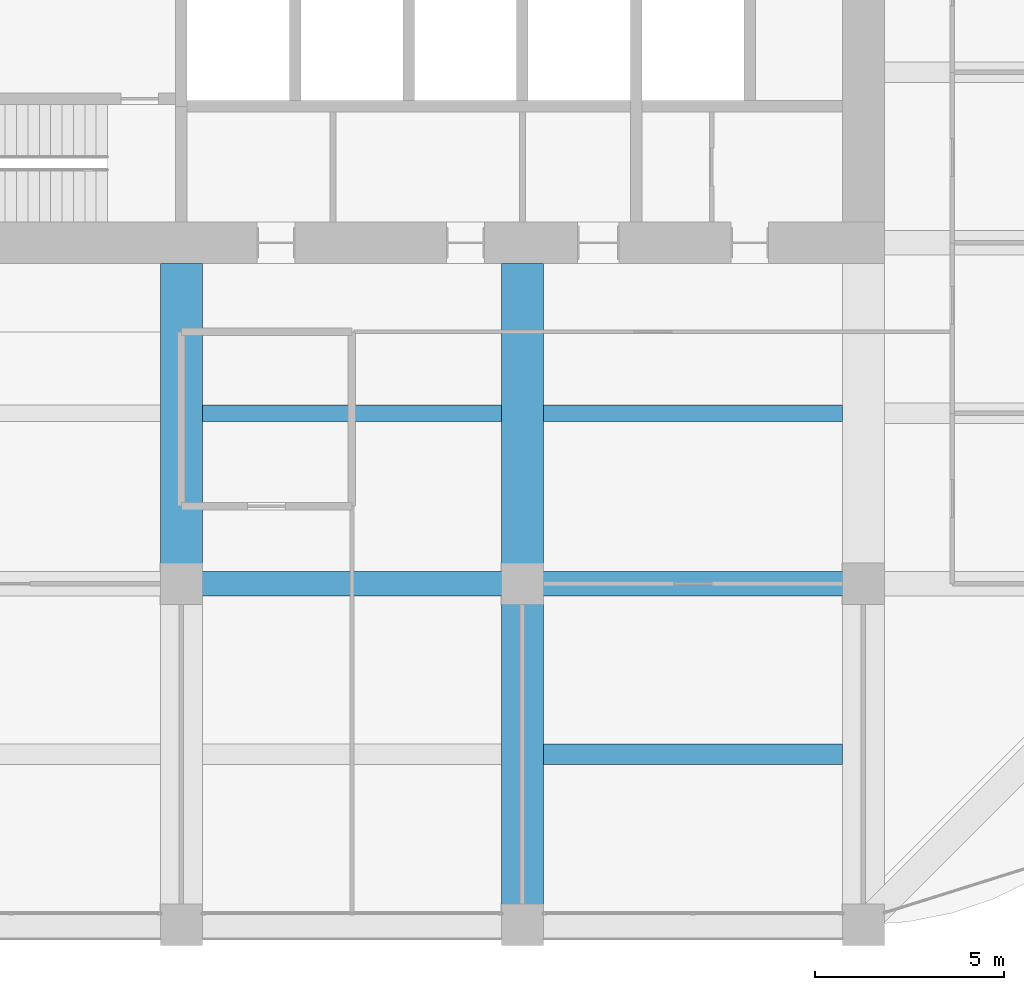
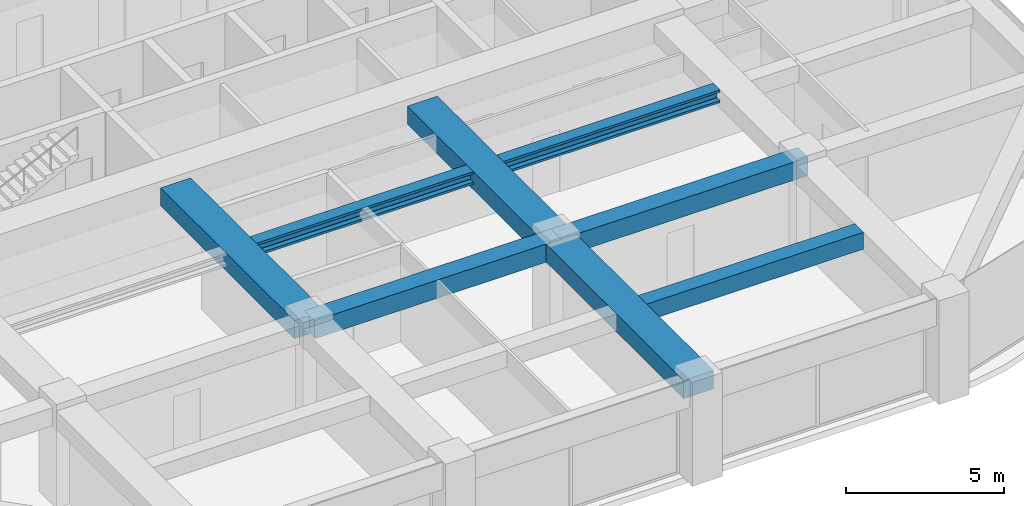
# One storey, part 12 of 44: 8 beams.
"""IFC4 building model written with IfcOpenShell, lengths in metres."""

from ifc_helpers import new_model, si_unit, direction, frame, origin, origin_2d, place, context, subcontext, project, spatial, rectangle, i_section, extrude, material, material_profile, profile_set, type_object, element, save


model = new_model("IFC4")

# Units and contexts
model_context = context("Model", 3, precision=1e-05, world=origin(), true_north=direction((0.0, 1.0)))
body_context = subcontext(model_context, "Body", "Model", "MODEL_VIEW")
ifc_project = project(units=[si_unit("LENGTHUNIT", "METRE"), si_unit("AREAUNIT", "SQUARE_METRE"), si_unit("VOLUMEUNIT", "CUBIC_METRE"), si_unit("PLANEANGLEUNIT", "RADIAN"), si_unit("MASSUNIT", "GRAM", prefix="KILO")], contexts=[model_context])

# Site, building, storey
site_placement = place(None, origin())
site = spatial("IfcSite", under=ifc_project, at=site_placement, CompositionType="ELEMENT")
building_placement = place(site_placement, origin())
building = spatial("IfcBuilding", under=site, at=building_placement, Name="Zorevar Civic Tower", CompositionType="ELEMENT")
storey_placement = place(building_placement, frame((0.0, 0.0, 267.39990234375)))
storey = spatial("IfcBuildingStorey", under=building, at=storey_placement, Name="L65", CompositionType="ELEMENT", Elevation=267.39990234375)

# Beams
ifc_material_1 = material(Name="Concrete C50/60", Category="concrete")
ifc_material_profile_1 = material_profile(ifc_material_1, rectangle(XDim=1.10009765625, YDim=0.699951171875, at=origin_2d()), Name="RC 1100x700")
ifc_profile_set_1 = profile_set([ifc_material_profile_1], Name="Concrete C50/60")
beam_type_1 = type_object("IfcBeamType", Name="Beam RC 1100x700", PredefinedType="BEAM", material=ifc_profile_set_1)
beam_1_placement = place(storey_placement, frame((27.0, 9.0, 3.400146484375), z_axis=(0.0, 1.0, 0.0), x_axis=(-1.0, 0.0, 0.0)))
element("IfcBeam", 1, at=beam_1_placement, inside=storey, type_object=beam_type_1, Name="Girder L66", PredefinedType="BEAM", context=body_context, shape_type="SweptSolid", body=[
    extrude(rectangle(XDim=1.10009765625, YDim=0.699951171875, at=origin_2d()), origin(), (0.0, 0.0, 1.0), 8.449951171875),
])
beam_2_placement = place(storey_placement, frame((36.0, 0.0, 3.400146484375), z_axis=(0.0, 1.0, 0.0), x_axis=(-1.0, 0.0, 0.0)))
element("IfcBeam", 2, at=beam_2_placement, inside=storey, type_object=beam_type_1, Name="Girder L66", PredefinedType="BEAM", context=body_context, shape_type="SweptSolid", body=[
    extrude(rectangle(XDim=1.10009765625, YDim=0.699951171875, at=origin_2d()), origin(), (0.0, 0.0, 1.0), 9.0),
])
beam_3_placement = place(storey_placement, frame((36.0, 9.0, 3.400146484375), z_axis=(0.0, 1.0, 0.0), x_axis=(-1.0, 0.0, 0.0)))
element("IfcBeam", 3, at=beam_3_placement, inside=storey, type_object=beam_type_1, Name="Girder L66", PredefinedType="BEAM", context=body_context, shape_type="SweptSolid", body=[
    extrude(rectangle(XDim=1.10009765625, YDim=0.699951171875, at=origin_2d()), origin(), (0.0, 0.0, 1.0), 8.449951171875),
])
ifc_material_2 = material(Name="Concrete C50/60", Category="concrete")
ifc_material_profile_2 = material_profile(ifc_material_2, rectangle(XDim=0.550048828125, YDim=0.64990234375, at=origin_2d()), Name="RC 550x650")
ifc_profile_set_2 = profile_set([ifc_material_profile_2], Name="Concrete C50/60")
beam_type_2 = type_object("IfcBeamType", Name="Beam RC 550x650", PredefinedType="BEAM", material=ifc_profile_set_2)
beam_4_placement = place(storey_placement, frame((36.550048828125, 4.5, 3.425048828125), z_axis=(1.0, 0.0, 0.0), x_axis=(0.0, 1.0, 0.0)))
element("IfcBeam", 4, at=beam_4_placement, inside=storey, type_object=beam_type_2, Name="Secondary beam L66", PredefinedType="BEAM", context=body_context, shape_type="SweptSolid", body=[
    extrude(rectangle(XDim=0.550048828125, YDim=0.64990234375, at=origin_2d()), origin(), (0.0, 0.0, 1.0), 7.89990234375),
])
ifc_material_3 = material(Name="Concrete C50/60", Category="concrete")
ifc_material_profile_3 = material_profile(ifc_material_3, rectangle(XDim=0.64990234375, YDim=0.699951171875, at=origin_2d()), Name="RC 650x700")
ifc_profile_set_3 = profile_set([ifc_material_profile_3], Name="Concrete C50/60")
beam_type_3 = type_object("IfcBeamType", Name="Beam RC 650x700", PredefinedType="BEAM", material=ifc_profile_set_3)
for number, where, z_axis, x_axis, name in (
    (5, (27.0, 9.0, 3.400146484375), (1.0, 0.0, 0.0), (0.0, 1.0, 0.0), "Girder L66"),
    (6, (36.0, 9.0, 3.400146484375), (1.0, 0.0, 0.0), (0.0, 1.0, 0.0), "Girder L66"),
):
    element("IfcBeam", number, at=place(storey_placement, frame(where, z_axis=z_axis, x_axis=x_axis)), inside=storey, type_object=beam_type_3, Name=name, PredefinedType="BEAM", context=body_context, shape_type="SweptSolid", body=[
        extrude(rectangle(XDim=0.64990234375, YDim=0.699951171875, at=origin_2d()), origin(), (0.0, 0.0, 1.0), 9.0),
    ])
ifc_material_4 = material(Name="Steel S460M (HISTAR 460)", Category="steel")
ifc_material_profile_4 = material_profile(ifc_material_4, i_section(OverallWidth=0.431884765625, OverallDepth=0.498046875, WebThickness=0.0556640625, FlangeThickness=0.0888671875, FilletRadius=0.014892578125, at=origin_2d()), Name="HD 400x744")
ifc_profile_set_4 = profile_set([ifc_material_profile_4], Name="Steel S460M (HISTAR 460)")
beam_type_4 = type_object("IfcBeamType", Name="Core bay beam HD 400x744", PredefinedType="BEAM", material=ifc_profile_set_4)
for number, where, z_axis, x_axis, name in (
    (7, (27.550048828125, 13.5, 3.5009765625), (1.0, 0.0, 0.0), (0.0, 1.0, 0.0), "Secondary beam L66"),
    (8, (36.550048828125, 13.5, 3.5009765625), (1.0, 0.0, 0.0), (0.0, 1.0, 0.0), "Secondary beam L66"),
):
    element("IfcBeam", number, at=place(storey_placement, frame(where, z_axis=z_axis, x_axis=x_axis)), inside=storey, type_object=beam_type_4, Name=name, PredefinedType="BEAM", context=body_context, shape_type="SweptSolid", body=[
        extrude(i_section(OverallWidth=0.431884765625, OverallDepth=0.498046875, WebThickness=0.0556640625, FlangeThickness=0.0888671875, FilletRadius=0.014892578125, at=origin_2d()), origin(), (0.0, 0.0, 1.0), 7.89990234375),
    ])

save(model, "model.ifc")
